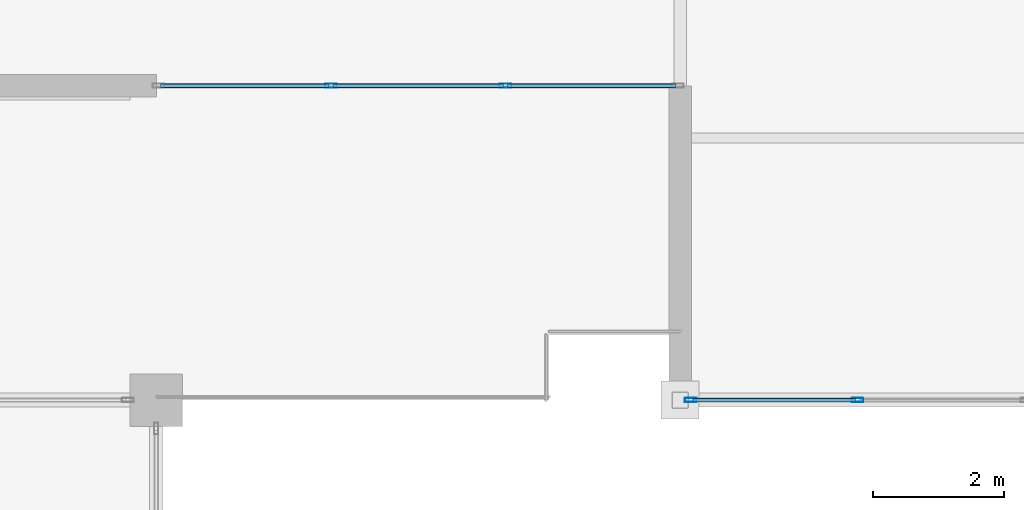
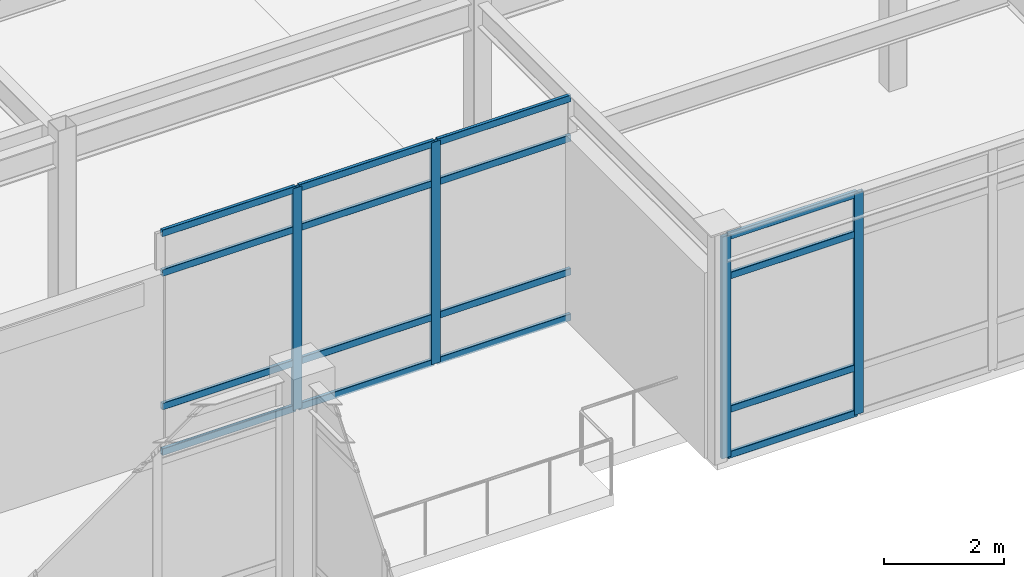
# One storey, part 57 of 117: 20 members, 2 elements without a shape of their own.
"""IFC4 building model written with IfcOpenShell, lengths in metres."""

from ifc_helpers import new_model, si_unit, direction, frame, origin, origin_2d, place, context, subcontext, project, spatial, hollow_rectangle, extrude, material, material_profile, profile_set, type_object, element, aggregate, save


model = new_model("IFC4")

# Units and contexts
model_context = context("Model", 3, precision=1e-05, world=origin(), true_north=direction((0.0, 1.0)))
body_context = subcontext(model_context, "Body", "Model", "MODEL_VIEW")
ifc_project = project(units=[si_unit("LENGTHUNIT", "METRE"), si_unit("AREAUNIT", "SQUARE_METRE"), si_unit("VOLUMEUNIT", "CUBIC_METRE"), si_unit("PLANEANGLEUNIT", "RADIAN"), si_unit("MASSUNIT", "GRAM", prefix="KILO")], contexts=[model_context])

# Site, building, storey
site_placement = place(None, origin())
site = spatial("IfcSite", under=ifc_project, at=site_placement, CompositionType="ELEMENT")
building_placement = place(site_placement, origin())
building = spatial("IfcBuilding", under=site, at=building_placement, Name="Solmirada Galleria", CompositionType="ELEMENT")
storey_placement = place(building_placement, frame((0.0, 0.0, 5.60009765625)))
storey = spatial("IfcBuildingStorey", under=building, at=storey_placement, Name="L01", CompositionType="ELEMENT", Elevation=5.60009765625)

# Curtain wall, members
ifc_material_1 = material(Name="Impact-resistant low-E double glazing", Category="glass")
curtain_wall_type_1 = type_object("IfcCurtainWallType", Name="CW-FZ4-L01-B3-L077", PredefinedType="NOTDEFINED", material=ifc_material_1)
curtain_wall_1_placement = place(storey_placement, origin())
curtain_wall_1 = element("IfcCurtainWall", 1, at=curtain_wall_1_placement, inside=storey, type_object=curtain_wall_type_1, Name="Terrace and arcade storefront CW-L01-063", PredefinedType="NOTDEFINED")
ifc_material_2 = material(Name="Anodised aluminium framing", Category="aluminium")
ifc_material_profile_1 = material_profile(ifc_material_2, hollow_rectangle(XDim=0.06494140625, YDim=0.179931640625, WallThickness=0.00390625, InnerFilletRadius=0.00390625, OuterFilletRadius=0.008056640625, at=origin_2d()), Name="ALU-MULL-180X65")
ifc_profile_set_1 = profile_set([ifc_material_profile_1], Name="Anodised aluminium framing")
member_type_1 = type_object("IfcMemberType", Name="CW-MULL-180", PredefinedType="MULLION", material=ifc_profile_set_1)
member_1_placement = place(storey_placement, frame((122.709716796875, 72.0, 0.0), z_axis=(0.0, 0.0, 1.0), x_axis=(0.0, -1.0, 0.0)))
member_1 = element("IfcMember", 2, at=member_1_placement, type_object=member_type_1, Name="CW16 mullion 3", PredefinedType="MULLION", context=body_context, shape_type="SweptSolid", body=[
    extrude(hollow_rectangle(XDim=0.06494140625, YDim=0.179931640625, WallThickness=0.00390625, InnerFilletRadius=0.00390625, OuterFilletRadius=0.008056640625, at=origin_2d()), origin(), (0.0, 0.0, 1.0), 4.52001953125),
])
member_2_placement = place(storey_placement, frame((120.16162109375, 72.0, 0.0), z_axis=(0.0, 0.0, 1.0), x_axis=(0.0, -1.0, 0.0)))
member_2 = element("IfcMember", 3, at=member_2_placement, type_object=member_type_1, Name="CW16 mullion 4", PredefinedType="MULLION", context=body_context, shape_type="SweptSolid", body=[
    extrude(hollow_rectangle(XDim=0.06494140625, YDim=0.179931640625, WallThickness=0.00390625, InnerFilletRadius=0.00390625, OuterFilletRadius=0.008056640625, at=origin_2d()), origin(), (0.0, 0.0, 1.0), 4.52001953125),
])

curtain_wall_type_2 = type_object("IfcCurtainWallType", Name="CW-FZ4-L01-B3-L080", PredefinedType="NOTDEFINED", material=ifc_material_1)
curtain_wall_2_placement = place(storey_placement, origin())
curtain_wall_2 = element("IfcCurtainWall", 4, at=curtain_wall_2_placement, inside=storey, type_object=curtain_wall_type_2, Name="Terrace and arcade storefront CW-L01-064", PredefinedType="NOTDEFINED")
member_3_placement = place(storey_placement, frame((117.333251953125, 76.800048828125, 0.0), z_axis=(0.0, 0.0, 1.0), x_axis=(0.0, -1.0, 0.0)))
member_3 = element("IfcMember", 5, at=member_3_placement, type_object=member_type_1, Name="CW13 mullion 2", PredefinedType="MULLION", context=body_context, shape_type="SweptSolid", body=[
    extrude(hollow_rectangle(XDim=0.06494140625, YDim=0.179931640625, WallThickness=0.00390625, InnerFilletRadius=0.00390625, OuterFilletRadius=0.008056640625, at=origin_2d()), origin(), (0.0, 0.0, 1.0), 4.52001953125),
])
member_4_placement = place(storey_placement, frame((114.666748046875, 76.800048828125, 0.0), z_axis=(0.0, 0.0, 1.0), x_axis=(0.0, -1.0, 0.0)))
member_4 = element("IfcMember", 6, at=member_4_placement, type_object=member_type_1, Name="CW13 mullion 3", PredefinedType="MULLION", context=body_context, shape_type="SweptSolid", body=[
    extrude(hollow_rectangle(XDim=0.06494140625, YDim=0.179931640625, WallThickness=0.00390625, InnerFilletRadius=0.00390625, OuterFilletRadius=0.008056640625, at=origin_2d()), origin(), (0.0, 0.0, 1.0), 4.52001953125),
])

# Member
ifc_material_profile_2 = material_profile(ifc_material_2, hollow_rectangle(XDim=0.06494140625, YDim=0.139892578125, WallThickness=0.00341796875, InnerFilletRadius=0.00341796875, OuterFilletRadius=0.007080078125, at=origin_2d()), Name="ALU-TRAN-140X65")
ifc_profile_set_2 = profile_set([ifc_material_profile_2], Name="Anodised aluminium framing")
member_type_2 = type_object("IfcMemberType", Name="CW-TRAN-140", PredefinedType="USERDEFINED", material=ifc_profile_set_2)
member_5_placement = place(storey_placement, frame((122.67724609375, 72.0, 0.032470703125), z_axis=(-1.0, 0.0, 0.0), x_axis=(0.0, -1.0, 0.0)))
member_5 = element("IfcMember", 7, at=member_5_placement, type_object=member_type_2, Name="CW16 transom 3.1", ObjectType="TRANSOM", PredefinedType="USERDEFINED", context=body_context, shape_type="SweptSolid", body=[
    extrude(hollow_rectangle(XDim=0.06494140625, YDim=0.139892578125, WallThickness=0.00341796875, InnerFilletRadius=0.00341796875, OuterFilletRadius=0.007080078125, at=origin_2d()), origin(), (0.0, 0.0, 1.0), 2.483154296875),
])

member_6_placement = place(storey_placement, frame((122.67724609375, 72.0, 0.9599609375), z_axis=(-1.0, 0.0, 0.0), x_axis=(0.0, -1.0, 0.0)))
member_6 = element("IfcMember", 8, at=member_6_placement, type_object=member_type_2, Name="CW16 transom 3.2", ObjectType="TRANSOM", PredefinedType="USERDEFINED", context=body_context, shape_type="SweptSolid", body=[
    extrude(hollow_rectangle(XDim=0.06494140625, YDim=0.139892578125, WallThickness=0.00341796875, InnerFilletRadius=0.00341796875, OuterFilletRadius=0.007080078125, at=origin_2d()), origin(), (0.0, 0.0, 1.0), 2.483154296875),
])

member_7_placement = place(storey_placement, frame((122.67724609375, 72.0, 3.679931640625), z_axis=(-1.0, 0.0, 0.0), x_axis=(0.0, -1.0, 0.0)))
member_7 = element("IfcMember", 9, at=member_7_placement, type_object=member_type_2, Name="CW16 transom 3.3", ObjectType="TRANSOM", PredefinedType="USERDEFINED", context=body_context, shape_type="SweptSolid", body=[
    extrude(hollow_rectangle(XDim=0.06494140625, YDim=0.139892578125, WallThickness=0.00341796875, InnerFilletRadius=0.00341796875, OuterFilletRadius=0.007080078125, at=origin_2d()), origin(), (0.0, 0.0, 1.0), 2.483154296875),
])

member_8_placement = place(storey_placement, frame((122.67724609375, 72.0, 4.4873046875), z_axis=(-1.0, 0.0, 0.0), x_axis=(0.0, -1.0, 0.0)))
member_8 = element("IfcMember", 10, at=member_8_placement, type_object=member_type_2, Name="CW16 transom 3.4", ObjectType="TRANSOM", PredefinedType="USERDEFINED", context=body_context, shape_type="SweptSolid", body=[
    extrude(hollow_rectangle(XDim=0.06494140625, YDim=0.139892578125, WallThickness=0.00341796875, InnerFilletRadius=0.00341796875, OuterFilletRadius=0.007080078125, at=origin_2d()), origin(), (0.0, 0.0, 1.0), 2.483154296875),
])

aggregate(curtain_wall_1, [member_1, member_2, member_5, member_6, member_7, member_8])

member_9_placement = place(storey_placement, frame((119.93505859375, 76.800048828125, 0.032470703125), z_axis=(-1.0, 0.0, 0.0), x_axis=(0.0, -1.0, 0.0)))
member_9 = element("IfcMember", 11, at=member_9_placement, type_object=member_type_2, Name="CW13 transom 1.1", ObjectType="TRANSOM", PredefinedType="USERDEFINED", context=body_context, shape_type="SweptSolid", body=[
    extrude(hollow_rectangle(XDim=0.06494140625, YDim=0.139892578125, WallThickness=0.00341796875, InnerFilletRadius=0.00341796875, OuterFilletRadius=0.007080078125, at=origin_2d()), origin(), (0.0, 0.0, 1.0), 2.5693359375),
])

member_10_placement = place(storey_placement, frame((119.93505859375, 76.800048828125, 0.9599609375), z_axis=(-1.0, 0.0, 0.0), x_axis=(0.0, -1.0, 0.0)))
member_10 = element("IfcMember", 12, at=member_10_placement, type_object=member_type_2, Name="CW13 transom 1.2", ObjectType="TRANSOM", PredefinedType="USERDEFINED", context=body_context, shape_type="SweptSolid", body=[
    extrude(hollow_rectangle(XDim=0.06494140625, YDim=0.139892578125, WallThickness=0.00341796875, InnerFilletRadius=0.00341796875, OuterFilletRadius=0.007080078125, at=origin_2d()), origin(), (0.0, 0.0, 1.0), 2.5693359375),
])

member_11_placement = place(storey_placement, frame((119.93505859375, 76.800048828125, 3.679931640625), z_axis=(-1.0, 0.0, 0.0), x_axis=(0.0, -1.0, 0.0)))
member_11 = element("IfcMember", 13, at=member_11_placement, type_object=member_type_2, Name="CW13 transom 1.3", ObjectType="TRANSOM", PredefinedType="USERDEFINED", context=body_context, shape_type="SweptSolid", body=[
    extrude(hollow_rectangle(XDim=0.06494140625, YDim=0.139892578125, WallThickness=0.00341796875, InnerFilletRadius=0.00341796875, OuterFilletRadius=0.007080078125, at=origin_2d()), origin(), (0.0, 0.0, 1.0), 2.5693359375),
])

member_12_placement = place(storey_placement, frame((119.93505859375, 76.800048828125, 4.4873046875), z_axis=(-1.0, 0.0, 0.0), x_axis=(0.0, -1.0, 0.0)))
member_12 = element("IfcMember", 14, at=member_12_placement, type_object=member_type_2, Name="CW13 transom 1.4", ObjectType="TRANSOM", PredefinedType="USERDEFINED", context=body_context, shape_type="SweptSolid", body=[
    extrude(hollow_rectangle(XDim=0.06494140625, YDim=0.139892578125, WallThickness=0.00341796875, InnerFilletRadius=0.00341796875, OuterFilletRadius=0.007080078125, at=origin_2d()), origin(), (0.0, 0.0, 1.0), 2.5693359375),
])

member_13_placement = place(storey_placement, frame((117.30078125, 76.800048828125, 0.032470703125), z_axis=(-1.0, 0.0, 0.0), x_axis=(0.0, -1.0, 0.0)))
member_13 = element("IfcMember", 15, at=member_13_placement, type_object=member_type_2, Name="CW13 transom 2.1", ObjectType="TRANSOM", PredefinedType="USERDEFINED", context=body_context, shape_type="SweptSolid", body=[
    extrude(hollow_rectangle(XDim=0.06494140625, YDim=0.139892578125, WallThickness=0.00341796875, InnerFilletRadius=0.00341796875, OuterFilletRadius=0.007080078125, at=origin_2d()), origin(), (0.0, 0.0, 1.0), 2.6015625),
])

member_14_placement = place(storey_placement, frame((117.30078125, 76.800048828125, 0.9599609375), z_axis=(-1.0, 0.0, 0.0), x_axis=(0.0, -1.0, 0.0)))
member_14 = element("IfcMember", 16, at=member_14_placement, type_object=member_type_2, Name="CW13 transom 2.2", ObjectType="TRANSOM", PredefinedType="USERDEFINED", context=body_context, shape_type="SweptSolid", body=[
    extrude(hollow_rectangle(XDim=0.06494140625, YDim=0.139892578125, WallThickness=0.00341796875, InnerFilletRadius=0.00341796875, OuterFilletRadius=0.007080078125, at=origin_2d()), origin(), (0.0, 0.0, 1.0), 2.6015625),
])

member_15_placement = place(storey_placement, frame((117.30078125, 76.800048828125, 3.679931640625), z_axis=(-1.0, 0.0, 0.0), x_axis=(0.0, -1.0, 0.0)))
member_15 = element("IfcMember", 17, at=member_15_placement, type_object=member_type_2, Name="CW13 transom 2.3", ObjectType="TRANSOM", PredefinedType="USERDEFINED", context=body_context, shape_type="SweptSolid", body=[
    extrude(hollow_rectangle(XDim=0.06494140625, YDim=0.139892578125, WallThickness=0.00341796875, InnerFilletRadius=0.00341796875, OuterFilletRadius=0.007080078125, at=origin_2d()), origin(), (0.0, 0.0, 1.0), 2.6015625),
])

member_16_placement = place(storey_placement, frame((117.30078125, 76.800048828125, 4.4873046875), z_axis=(-1.0, 0.0, 0.0), x_axis=(0.0, -1.0, 0.0)))
member_16 = element("IfcMember", 18, at=member_16_placement, type_object=member_type_2, Name="CW13 transom 2.4", ObjectType="TRANSOM", PredefinedType="USERDEFINED", context=body_context, shape_type="SweptSolid", body=[
    extrude(hollow_rectangle(XDim=0.06494140625, YDim=0.139892578125, WallThickness=0.00341796875, InnerFilletRadius=0.00341796875, OuterFilletRadius=0.007080078125, at=origin_2d()), origin(), (0.0, 0.0, 1.0), 2.6015625),
])

member_17_placement = place(storey_placement, frame((114.63427734375, 76.800048828125, 0.032470703125), z_axis=(-1.0, 0.0, 0.0), x_axis=(0.0, -1.0, 0.0)))
member_17 = element("IfcMember", 19, at=member_17_placement, type_object=member_type_2, Name="CW13 transom 3.1", ObjectType="TRANSOM", PredefinedType="USERDEFINED", context=body_context, shape_type="SweptSolid", body=[
    extrude(hollow_rectangle(XDim=0.06494140625, YDim=0.139892578125, WallThickness=0.00341796875, InnerFilletRadius=0.00341796875, OuterFilletRadius=0.007080078125, at=origin_2d()), origin(), (0.0, 0.0, 1.0), 2.5693359375),
])

member_18_placement = place(storey_placement, frame((114.63427734375, 76.800048828125, 0.9599609375), z_axis=(-1.0, 0.0, 0.0), x_axis=(0.0, -1.0, 0.0)))
member_18 = element("IfcMember", 20, at=member_18_placement, type_object=member_type_2, Name="CW13 transom 3.2", ObjectType="TRANSOM", PredefinedType="USERDEFINED", context=body_context, shape_type="SweptSolid", body=[
    extrude(hollow_rectangle(XDim=0.06494140625, YDim=0.139892578125, WallThickness=0.00341796875, InnerFilletRadius=0.00341796875, OuterFilletRadius=0.007080078125, at=origin_2d()), origin(), (0.0, 0.0, 1.0), 2.5693359375),
])

member_19_placement = place(storey_placement, frame((114.63427734375, 76.800048828125, 3.679931640625), z_axis=(-1.0, 0.0, 0.0), x_axis=(0.0, -1.0, 0.0)))
member_19 = element("IfcMember", 21, at=member_19_placement, type_object=member_type_2, Name="CW13 transom 3.3", ObjectType="TRANSOM", PredefinedType="USERDEFINED", context=body_context, shape_type="SweptSolid", body=[
    extrude(hollow_rectangle(XDim=0.06494140625, YDim=0.139892578125, WallThickness=0.00341796875, InnerFilletRadius=0.00341796875, OuterFilletRadius=0.007080078125, at=origin_2d()), origin(), (0.0, 0.0, 1.0), 2.5693359375),
])

member_20_placement = place(storey_placement, frame((114.63427734375, 76.800048828125, 4.4873046875), z_axis=(-1.0, 0.0, 0.0), x_axis=(0.0, -1.0, 0.0)))
member_20 = element("IfcMember", 22, at=member_20_placement, type_object=member_type_2, Name="CW13 transom 3.4", ObjectType="TRANSOM", PredefinedType="USERDEFINED", context=body_context, shape_type="SweptSolid", body=[
    extrude(hollow_rectangle(XDim=0.06494140625, YDim=0.139892578125, WallThickness=0.00341796875, InnerFilletRadius=0.00341796875, OuterFilletRadius=0.007080078125, at=origin_2d()), origin(), (0.0, 0.0, 1.0), 2.5693359375),
])

aggregate(curtain_wall_2, [member_3, member_4, member_9, member_10, member_11, member_12, member_13, member_14, member_15, member_16, member_17, member_18, member_19, member_20])

save(model, "model.ifc")
